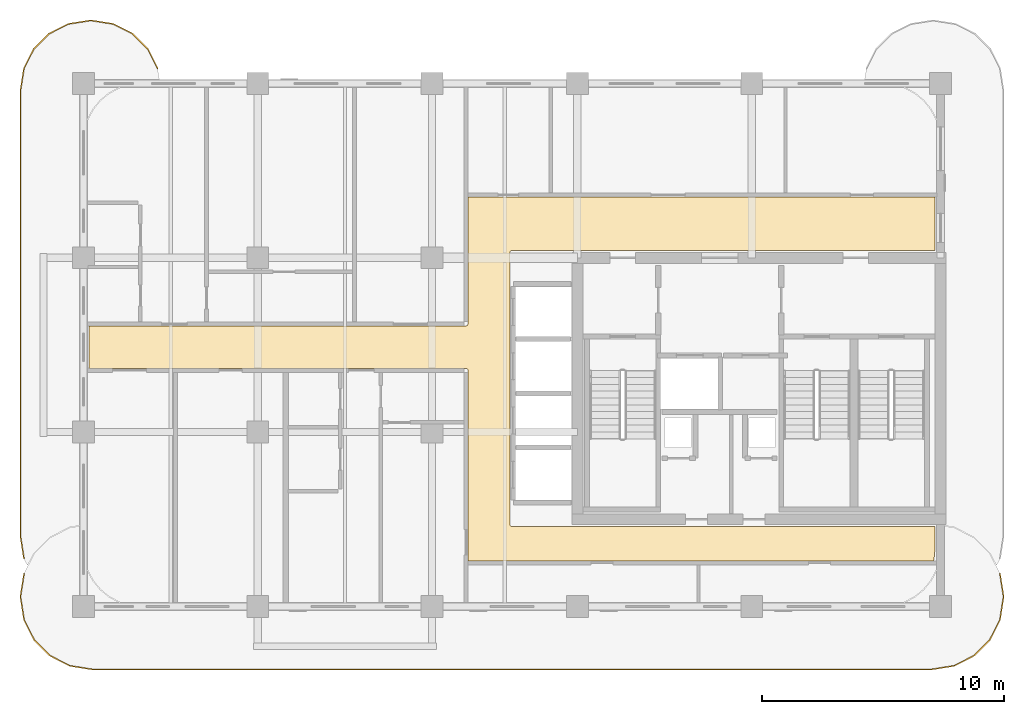
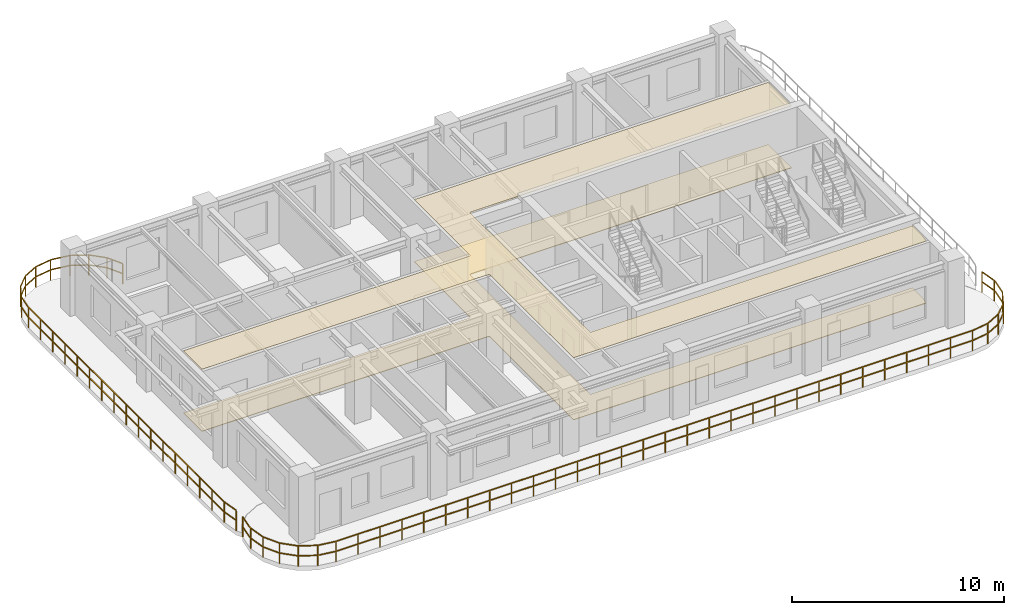
# One storey, part 7 of 8: 2 coverings, 2 railings.
"""IFC4 building model written with IfcOpenShell, lengths in metres."""

from ifc_helpers import new_model, si_unit, derived_unit, direction, frame, origin, origin_2d, place, context, subcontext, project, spatial, polyline, rectangle, outline, extrude, material, layer, layer_set, type_object, element, save


model = new_model("IFC4")

# Units and contexts
model_context = context("Model", 3, precision=1e-05, world=origin(), true_north=direction((0.0, 1.0)))
body_context = subcontext(model_context, "Body", "Model", "MODEL_VIEW")
ifc_project = project(units=[si_unit("LENGTHUNIT", "METRE"), si_unit("AREAUNIT", "SQUARE_METRE"), si_unit("VOLUMEUNIT", "CUBIC_METRE"), si_unit("PLANEANGLEUNIT", "RADIAN"), si_unit("MASSUNIT", "GRAM", prefix="KILO"), si_unit("THERMODYNAMICTEMPERATUREUNIT", "KELVIN"), si_unit("POWERUNIT", "WATT"), derived_unit("THERMALTRANSMITTANCEUNIT", [(si_unit("POWERUNIT", "WATT"), 1), (si_unit("AREAUNIT", "SQUARE_METRE"), -1), (si_unit("THERMODYNAMICTEMPERATUREUNIT", "KELVIN"), -1)])], contexts=[model_context])

# Site, building, storey
site_placement = place(None, origin())
site = spatial("IfcSite", under=ifc_project, at=site_placement, CompositionType="ELEMENT")
building_placement = place(site_placement, origin())
building = spatial("IfcBuilding", under=site, at=building_placement, Name="Zahravan Archway Hotel and Residences", CompositionType="ELEMENT")
storey_placement = place(building_placement, frame((0.0, 0.0, 225.0)))
storey = spatial("IfcBuildingStorey", under=building, at=storey_placement, Name="L56", CompositionType="ELEMENT", Elevation=225.0)

# Coverings
ifc_material_1 = material(Name="Perforated Acoustic Gypsum Ceiling")
ifc_layer_1 = layer(ifc_material_1, 0.02490234375, Name="Perforated Acoustic Gypsum Ceiling")
ifc_layer_set_1 = layer_set([ifc_layer_1], Name="Perforated Acoustic Gypsum Ceiling")
covering_type_1 = type_object("IfcCoveringType", Name="COV-CEIL-ACST", PredefinedType="CEILING", material=ifc_layer_set_1)
covering_1_placement = place(storey_placement, frame((0.0, 0.0, 3.574951171875)))
element("IfcCovering", 1, at=covering_1_placement, inside=storey, type_object=covering_type_1, Name="L56 Acoustic Corridor Ceiling", PredefinedType="CEILING", context=body_context, shape_type="SweptSolid", body=[
    extrude(outline(polyline([(30.215576171875, 11.591552734375), (30.256591796875, 11.61328125), (30.278564453125, 11.654296875), (30.280029296875, 16.919921875), (49.580078125, 16.919921875), (49.580078125, 14.705078125), (32.10009765625, 14.705078125), (32.0556640625, 14.69140625), (32.026123046875, 14.655517578125), (32.02001953125, 3.375), (32.033447265625, 3.33056640625), (32.0693359375, 3.301025390625), (49.580078125, 3.294921875), (49.580078125, 2.410888671875), (49.537109375, 1.974853515625), (49.50830078125, 1.8798828125), (30.280029296875, 1.8798828125), (30.280029296875, 9.75), (30.2666015625, 9.79443359375), (30.230712890625, 9.823974609375), (14.6201171875, 9.830078125), (14.6201171875, 11.590087890625), (30.199951171875, 11.590087890625), (30.215576171875, 11.591552734375)])), origin(), (0.0, 0.0, 1.0), 0.025146484375),
])
ifc_material_2 = material(Name="Honed Margalla Limestone & Mortar Bed", Category="masonry")
ifc_layer_2 = layer(ifc_material_2, 0.030029296875, Name="Honed Margalla Limestone & Mortar Bed", Category="masonry")
ifc_layer_set_2 = layer_set([ifc_layer_2], Name="Honed Margalla Limestone & Mortar Bed")
covering_type_2 = type_object("IfcCoveringType", Name="COV-FLR-STONE", PredefinedType="FLOORING", material=ifc_layer_set_2)
covering_2_placement = place(storey_placement, origin())
element("IfcCovering", 2, at=covering_2_placement, inside=storey, type_object=covering_type_2, Name="L56 Circulation Floor Finish", PredefinedType="FLOORING", context=body_context, shape_type="SweptSolid", body=[
    extrude(outline(polyline([(30.215576171875, 11.591552734375), (30.256591796875, 11.61328125), (30.278564453125, 11.654296875), (30.280029296875, 16.919921875), (49.580078125, 16.919921875), (49.580078125, 14.705078125), (32.10009765625, 14.705078125), (32.0556640625, 14.69140625), (32.026123046875, 14.655517578125), (32.02001953125, 3.375), (32.033447265625, 3.33056640625), (32.0693359375, 3.301025390625), (49.580078125, 3.294921875), (49.580078125, 2.410888671875), (49.537109375, 1.974853515625), (49.50830078125, 1.8798828125), (30.280029296875, 1.8798828125), (30.280029296875, 9.75), (30.2666015625, 9.79443359375), (30.230712890625, 9.823974609375), (14.6201171875, 9.830078125), (14.6201171875, 11.590087890625), (30.199951171875, 11.590087890625), (30.215576171875, 11.591552734375)])), origin(), (0.0, 0.0, 1.0), 0.030029296875),
])

# Railings
ifc_material_3 = material(Name="Bronze & Laminated Glass Balustrade", Category="glass")
railing_type = type_object("IfcRailingType", Name="RL-BAL-1200", PredefinedType="BALUSTRADE", material=ifc_material_3)
railing_1_placement = place(storey_placement, frame((52.255615234375, 1.361572265625, 0.0)))
element("IfcRailing", 3, at=railing_1_placement, inside=storey, type_object=railing_type, Name="L56 Balustrade RL-SLB-BAL-L56-SA-1", PredefinedType="BALUSTRADE", context=body_context, shape_type="SweptSolid", body=[
    extrude(rectangle(XDim=0.048095703125, YDim=0.048095703125, at=origin_2d()), frame((0.0, 0.0, 1.17578125), z_axis=(0.156329311416, -0.987704989555, 0.0), x_axis=(0.987704989555, 0.156329311416, 0.0)), (0.0, 0.0, 1.0), 0.9228515625),
    extrude(rectangle(XDim=0.048095703125, YDim=0.048095703125, at=origin_2d()), frame((0.0, 0.0, 0.60009765625), z_axis=(0.156329311416, -0.987704989555, 0.0), x_axis=(0.987704989555, 0.156329311416, 0.0)), (0.0, 0.0, 1.0), 0.9228515625),
    extrude(rectangle(XDim=0.048095703125, YDim=0.048095703125, at=origin_2d()), frame((0.144287109375, -0.91162109375, 1.17578125), z_axis=(0.0, -1.0, 0.0), x_axis=(1.0, 0.0, 0.0)), (0.0, 0.0, 1.0), 0.099853515625),
    extrude(rectangle(XDim=0.048095703125, YDim=0.048095703125, at=origin_2d()), frame((0.144287109375, -0.91162109375, 0.60009765625), z_axis=(0.0, -1.0, 0.0), x_axis=(1.0, 0.0, 0.0)), (0.0, 0.0, 1.0), 0.099853515625),
    extrude(rectangle(XDim=0.048095703125, YDim=0.048095703125, at=origin_2d()), frame((0.144287109375, -1.011474609375, 1.17578125), z_axis=(-0.156329311416, -0.987704989555, 0.0), x_axis=(0.987704989555, -0.156329311416, 0.0)), (0.0, 0.0, 1.0), 0.9228515625),
    extrude(rectangle(XDim=0.048095703125, YDim=0.048095703125, at=origin_2d()), frame((0.144287109375, -1.011474609375, 0.60009765625), z_axis=(-0.156329311416, -0.987704989555, 0.0), x_axis=(0.987704989555, -0.156329311416, 0.0)), (0.0, 0.0, 1.0), 0.9228515625),
    extrude(rectangle(XDim=0.048095703125, YDim=0.048095703125, at=origin_2d()), frame((0.0, -1.923095703125, 1.17578125), z_axis=(-0.453866348456, -0.891069771532, 0.0), x_axis=(0.891069771532, -0.453866348456, 0.0)), (0.0, 0.0, 1.0), 0.923095703125),
    extrude(rectangle(XDim=0.048095703125, YDim=0.048095703125, at=origin_2d()), frame((0.0, -1.923095703125, 0.60009765625), z_axis=(-0.453866348456, -0.891069771532, 0.0), x_axis=(0.891069771532, -0.453866348456, 0.0)), (0.0, 0.0, 1.0), 0.923095703125),
    extrude(rectangle(XDim=0.048095703125, YDim=0.048095703125, at=origin_2d()), frame((-0.4189453125, -2.74560546875, 1.17578125), z_axis=(-0.707106781187, -0.707106781187, 0.0), x_axis=(0.707106781187, -0.707106781187, 0.0)), (0.0, 0.0, 1.0), 0.9228515625),
    extrude(rectangle(XDim=0.048095703125, YDim=0.048095703125, at=origin_2d()), frame((-0.4189453125, -2.74560546875, 0.60009765625), z_axis=(-0.707106781187, -0.707106781187, 0.0), x_axis=(0.707106781187, -0.707106781187, 0.0)), (0.0, 0.0, 1.0), 0.9228515625),
    extrude(rectangle(XDim=0.048095703125, YDim=0.048095703125, at=origin_2d()), frame((-1.071533203125, -3.398193359375, 1.17578125), z_axis=(-0.891069771532, -0.453866348456, 0.0), x_axis=(0.453866348456, -0.891069771532, 0.0)), (0.0, 0.0, 1.0), 0.923095703125),
    extrude(rectangle(XDim=0.048095703125, YDim=0.048095703125, at=origin_2d()), frame((-1.071533203125, -3.398193359375, 0.60009765625), z_axis=(-0.891069771532, -0.453866348456, 0.0), x_axis=(0.453866348456, -0.891069771532, 0.0)), (0.0, 0.0, 1.0), 0.923095703125),
    extrude(rectangle(XDim=0.048095703125, YDim=0.048095703125, at=origin_2d()), frame((-1.89404296875, -3.817138671875, 1.17578125), z_axis=(-0.98766411426, -0.156587347521, 0.0), x_axis=(0.156587347521, -0.98766411426, 0.0)), (0.0, 0.0, 1.0), 0.923095703125),
    extrude(rectangle(XDim=0.048095703125, YDim=0.048095703125, at=origin_2d()), frame((-1.89404296875, -3.817138671875, 0.60009765625), z_axis=(-0.98766411426, -0.156587347521, 0.0), x_axis=(0.156587347521, -0.98766411426, 0.0)), (0.0, 0.0, 1.0), 0.923095703125),
    extrude(rectangle(XDim=0.048095703125, YDim=0.048095703125, at=origin_2d()), frame((-2.8056640625, -3.961669921875, 1.17578125), z_axis=(-1.0, 0.0, 0.0), x_axis=(0.0, -1.0, 0.0)), (0.0, 0.0, 1.0), 34.699951171875),
    extrude(rectangle(XDim=0.048095703125, YDim=0.048095703125, at=origin_2d()), frame((-2.8056640625, -3.961669921875, 0.60009765625), z_axis=(-1.0, 0.0, 0.0), x_axis=(0.0, -1.0, 0.0)), (0.0, 0.0, 1.0), 34.699951171875),
    extrude(rectangle(XDim=0.048095703125, YDim=0.048095703125, at=origin_2d()), frame((-37.505615234375, -3.961669921875, 1.17578125), z_axis=(-0.98766411426, 0.156587347521, 0.0), x_axis=(-0.156587347521, -0.98766411426, 0.0)), (0.0, 0.0, 1.0), 0.923095703125),
    extrude(rectangle(XDim=0.048095703125, YDim=0.048095703125, at=origin_2d()), frame((-37.505615234375, -3.961669921875, 0.60009765625), z_axis=(-0.98766411426, 0.156587347521, 0.0), x_axis=(-0.156587347521, -0.98766411426, 0.0)), (0.0, 0.0, 1.0), 0.923095703125),
    extrude(rectangle(XDim=0.048095703125, YDim=0.048095703125, at=origin_2d()), frame((-38.417236328125, -3.817138671875, 1.17578125), z_axis=(-0.891015268556, 0.453973337542, 0.0), x_axis=(-0.453973337542, -0.891015268556, 0.0)), (0.0, 0.0, 1.0), 0.9228515625),
    extrude(rectangle(XDim=0.048095703125, YDim=0.048095703125, at=origin_2d()), frame((-38.417236328125, -3.817138671875, 0.60009765625), z_axis=(-0.891015268556, 0.453973337542, 0.0), x_axis=(-0.453973337542, -0.891015268556, 0.0)), (0.0, 0.0, 1.0), 0.9228515625),
    extrude(rectangle(XDim=0.048095703125, YDim=0.048095703125, at=origin_2d()), frame((-39.239501953125, -3.398193359375, 1.17578125), z_axis=(-0.707239012465, 0.706974525176, 0.0), x_axis=(-0.706974525176, -0.707239012465, 0.0)), (0.0, 0.0, 1.0), 0.923095703125),
    extrude(rectangle(XDim=0.048095703125, YDim=0.048095703125, at=origin_2d()), frame((-39.239501953125, -3.398193359375, 0.60009765625), z_axis=(-0.707239012465, 0.706974525176, 0.0), x_axis=(-0.706974525176, -0.707239012465, 0.0)), (0.0, 0.0, 1.0), 0.923095703125),
    extrude(rectangle(XDim=0.048095703125, YDim=0.048095703125, at=origin_2d()), frame((-39.892333984375, -2.74560546875, 1.17578125), z_axis=(-0.453866348456, 0.891069771532, 0.0), x_axis=(-0.891069771532, -0.453866348456, 0.0)), (0.0, 0.0, 1.0), 0.923095703125),
    extrude(rectangle(XDim=0.048095703125, YDim=0.048095703125, at=origin_2d()), frame((-39.892333984375, -2.74560546875, 0.60009765625), z_axis=(-0.453866348456, 0.891069771532, 0.0), x_axis=(-0.891069771532, -0.453866348456, 0.0)), (0.0, 0.0, 1.0), 0.923095703125),
    extrude(rectangle(XDim=0.048095703125, YDim=0.048095703125, at=origin_2d()), frame((-40.311279296875, -1.923095703125, 1.17578125), z_axis=(-0.156329311416, 0.987704989555, 0.0), x_axis=(-0.987704989555, -0.156329311416, 0.0)), (0.0, 0.0, 1.0), 0.9228515625),
    extrude(rectangle(XDim=0.048095703125, YDim=0.048095703125, at=origin_2d()), frame((-40.311279296875, -1.923095703125, 0.60009765625), z_axis=(-0.156329311416, 0.987704989555, 0.0), x_axis=(-0.987704989555, -0.156329311416, 0.0)), (0.0, 0.0, 1.0), 0.9228515625),
    extrude(rectangle(XDim=0.048095703125, YDim=0.048095703125, at=origin_2d()), frame((-40.45556640625, -1.011474609375, 1.17578125), z_axis=(0.0, 1.0, 0.0), x_axis=(-1.0, 0.0, 0.0)), (0.0, 0.0, 1.0), 0.099853515625),
    extrude(rectangle(XDim=0.048095703125, YDim=0.048095703125, at=origin_2d()), frame((-40.45556640625, -1.011474609375, 0.60009765625), z_axis=(0.0, 1.0, 0.0), x_axis=(-1.0, 0.0, 0.0)), (0.0, 0.0, 1.0), 0.099853515625),
    extrude(rectangle(XDim=0.048095703125, YDim=0.048095703125, at=origin_2d()), frame((-40.45556640625, -0.91162109375, 1.17578125), z_axis=(0.156329311416, 0.987704989555, 0.0), x_axis=(-0.987704989555, 0.156329311416, 0.0)), (0.0, 0.0, 1.0), 0.9228515625),
    extrude(rectangle(XDim=0.048095703125, YDim=0.048095703125, at=origin_2d()), frame((-40.45556640625, -0.91162109375, 0.60009765625), z_axis=(0.156329311416, 0.987704989555, 0.0), x_axis=(-0.987704989555, 0.156329311416, 0.0)), (0.0, 0.0, 1.0), 0.9228515625),
    extrude(rectangle(XDim=0.0419921875, YDim=0.0419921875, at=origin_2d()), origin(), (0.0, 0.0, 1.0), 1.15185546875),
    extrude(rectangle(XDim=0.0419921875, YDim=0.0419921875, at=origin_2d()), frame((0.144287109375, -0.91162109375, 0.0)), (0.0, 0.0, 1.0), 1.15185546875),
    extrude(rectangle(XDim=0.0419921875, YDim=0.0419921875, at=origin_2d()), frame((0.0, -1.923095703125, 0.0)), (0.0, 0.0, 1.0), 1.15185546875),
    extrude(rectangle(XDim=0.0419921875, YDim=0.0419921875, at=origin_2d()), frame((-0.4189453125, -2.74560546875, 0.0)), (0.0, 0.0, 1.0), 1.15185546875),
    extrude(rectangle(XDim=0.0419921875, YDim=0.0419921875, at=origin_2d()), frame((-1.071533203125, -3.398193359375, 0.0)), (0.0, 0.0, 1.0), 1.15185546875),
    extrude(rectangle(XDim=0.0419921875, YDim=0.0419921875, at=origin_2d()), frame((-1.89404296875, -3.817138671875, 0.0)), (0.0, 0.0, 1.0), 1.15185546875),
    extrude(rectangle(XDim=0.0419921875, YDim=0.0419921875, at=origin_2d()), frame((-2.8056640625, -3.961669921875, 0.0)), (0.0, 0.0, 1.0), 1.15185546875),
    extrude(rectangle(XDim=0.0419921875, YDim=0.0419921875, at=origin_2d()), frame((-4.002197265625, -3.961669921875, 0.0)), (0.0, 0.0, 1.0), 1.15185546875),
    extrude(rectangle(XDim=0.0419921875, YDim=0.0419921875, at=origin_2d()), frame((-5.19873046875, -3.961669921875, 0.0)), (0.0, 0.0, 1.0), 1.15185546875),
    extrude(rectangle(XDim=0.0419921875, YDim=0.0419921875, at=origin_2d()), frame((-6.395263671875, -3.961669921875, 0.0)), (0.0, 0.0, 1.0), 1.15185546875),
    extrude(rectangle(XDim=0.0419921875, YDim=0.0419921875, at=origin_2d()), frame((-7.591796875, -3.961669921875, 0.0)), (0.0, 0.0, 1.0), 1.15185546875),
    extrude(rectangle(XDim=0.0419921875, YDim=0.0419921875, at=origin_2d()), frame((-8.788330078125, -3.961669921875, 0.0)), (0.0, 0.0, 1.0), 1.15185546875),
    extrude(rectangle(XDim=0.0419921875, YDim=0.0419921875, at=origin_2d()), frame((-9.98486328125, -3.961669921875, 0.0)), (0.0, 0.0, 1.0), 1.15185546875),
    extrude(rectangle(XDim=0.0419921875, YDim=0.0419921875, at=origin_2d()), frame((-11.181396484375, -3.961669921875, 0.0)), (0.0, 0.0, 1.0), 1.15185546875),
    extrude(rectangle(XDim=0.0419921875, YDim=0.0419921875, at=origin_2d()), frame((-12.378173828125, -3.961669921875, 0.0)), (0.0, 0.0, 1.0), 1.15185546875),
    extrude(rectangle(XDim=0.0419921875, YDim=0.0419921875, at=origin_2d()), frame((-13.57470703125, -3.961669921875, 0.0)), (0.0, 0.0, 1.0), 1.15185546875),
    extrude(rectangle(XDim=0.0419921875, YDim=0.0419921875, at=origin_2d()), frame((-14.771240234375, -3.961669921875, 0.0)), (0.0, 0.0, 1.0), 1.15185546875),
    extrude(rectangle(XDim=0.0419921875, YDim=0.0419921875, at=origin_2d()), frame((-15.9677734375, -3.961669921875, 0.0)), (0.0, 0.0, 1.0), 1.15185546875),
    extrude(rectangle(XDim=0.0419921875, YDim=0.0419921875, at=origin_2d()), frame((-17.164306640625, -3.961669921875, 0.0)), (0.0, 0.0, 1.0), 1.15185546875),
    extrude(rectangle(XDim=0.0419921875, YDim=0.0419921875, at=origin_2d()), frame((-18.36083984375, -3.961669921875, 0.0)), (0.0, 0.0, 1.0), 1.15185546875),
    extrude(rectangle(XDim=0.0419921875, YDim=0.0419921875, at=origin_2d()), frame((-19.557373046875, -3.961669921875, 0.0)), (0.0, 0.0, 1.0), 1.15185546875),
    extrude(rectangle(XDim=0.0419921875, YDim=0.0419921875, at=origin_2d()), frame((-20.75390625, -3.961669921875, 0.0)), (0.0, 0.0, 1.0), 1.15185546875),
    extrude(rectangle(XDim=0.0419921875, YDim=0.0419921875, at=origin_2d()), frame((-21.950439453125, -3.961669921875, 0.0)), (0.0, 0.0, 1.0), 1.15185546875),
    extrude(rectangle(XDim=0.0419921875, YDim=0.0419921875, at=origin_2d()), frame((-23.14697265625, -3.961669921875, 0.0)), (0.0, 0.0, 1.0), 1.15185546875),
    extrude(rectangle(XDim=0.0419921875, YDim=0.0419921875, at=origin_2d()), frame((-24.343505859375, -3.961669921875, 0.0)), (0.0, 0.0, 1.0), 1.15185546875),
    extrude(rectangle(XDim=0.0419921875, YDim=0.0419921875, at=origin_2d()), frame((-25.5400390625, -3.961669921875, 0.0)), (0.0, 0.0, 1.0), 1.15185546875),
    extrude(rectangle(XDim=0.0419921875, YDim=0.0419921875, at=origin_2d()), frame((-26.736572265625, -3.961669921875, 0.0)), (0.0, 0.0, 1.0), 1.15185546875),
    extrude(rectangle(XDim=0.0419921875, YDim=0.0419921875, at=origin_2d()), frame((-27.93310546875, -3.961669921875, 0.0)), (0.0, 0.0, 1.0), 1.15185546875),
    extrude(rectangle(XDim=0.0419921875, YDim=0.0419921875, at=origin_2d()), frame((-29.1298828125, -3.961669921875, 0.0)), (0.0, 0.0, 1.0), 1.15185546875),
    extrude(rectangle(XDim=0.0419921875, YDim=0.0419921875, at=origin_2d()), frame((-30.326416015625, -3.961669921875, 0.0)), (0.0, 0.0, 1.0), 1.15185546875),
    extrude(rectangle(XDim=0.0419921875, YDim=0.0419921875, at=origin_2d()), frame((-31.52294921875, -3.961669921875, 0.0)), (0.0, 0.0, 1.0), 1.15185546875),
    extrude(rectangle(XDim=0.0419921875, YDim=0.0419921875, at=origin_2d()), frame((-32.719482421875, -3.961669921875, 0.0)), (0.0, 0.0, 1.0), 1.15185546875),
    extrude(rectangle(XDim=0.0419921875, YDim=0.0419921875, at=origin_2d()), frame((-33.916015625, -3.961669921875, 0.0)), (0.0, 0.0, 1.0), 1.15185546875),
    extrude(rectangle(XDim=0.0419921875, YDim=0.0419921875, at=origin_2d()), frame((-35.112548828125, -3.961669921875, 0.0)), (0.0, 0.0, 1.0), 1.15185546875),
    extrude(rectangle(XDim=0.0419921875, YDim=0.0419921875, at=origin_2d()), frame((-36.30908203125, -3.961669921875, 0.0)), (0.0, 0.0, 1.0), 1.15185546875),
    extrude(rectangle(XDim=0.0419921875, YDim=0.0419921875, at=origin_2d()), frame((-37.505615234375, -3.961669921875, 0.0)), (0.0, 0.0, 1.0), 1.15185546875),
    extrude(rectangle(XDim=0.0419921875, YDim=0.0419921875, at=origin_2d()), frame((-38.417236328125, -3.817138671875, 0.0)), (0.0, 0.0, 1.0), 1.15185546875),
    extrude(rectangle(XDim=0.0419921875, YDim=0.0419921875, at=origin_2d()), frame((-39.239501953125, -3.398193359375, 0.0)), (0.0, 0.0, 1.0), 1.15185546875),
    extrude(rectangle(XDim=0.0419921875, YDim=0.0419921875, at=origin_2d()), frame((-39.892333984375, -2.74560546875, 0.0)), (0.0, 0.0, 1.0), 1.15185546875),
    extrude(rectangle(XDim=0.0419921875, YDim=0.0419921875, at=origin_2d()), frame((-40.311279296875, -1.923095703125, 0.0)), (0.0, 0.0, 1.0), 1.15185546875),
    extrude(rectangle(XDim=0.0419921875, YDim=0.0419921875, at=origin_2d()), frame((-40.45556640625, -1.011474609375, 0.0)), (0.0, 0.0, 1.0), 1.15185546875),
    extrude(rectangle(XDim=0.0419921875, YDim=0.0419921875, at=origin_2d()), frame((-40.311279296875, 0.0, 0.0)), (0.0, 0.0, 1.0), 1.15185546875),
])
railing_2_placement = place(storey_placement, frame((11.939453125, 1.96923828125, 0.0)))
element("IfcRailing", 4, at=railing_2_placement, inside=storey, type_object=railing_type, Name="L56 Balustrade RL-SLB-BAL-L56-WA-1", PredefinedType="BALUSTRADE", context=body_context, shape_type="SweptSolid", body=[
    extrude(rectangle(XDim=0.048095703125, YDim=0.048095703125, at=origin_2d()), frame((0.0, 0.0, 1.17578125), z_axis=(-0.156314005608, 0.987707411965, 0.0), x_axis=(-0.987707411965, -0.156314005608, 0.0)), (0.0, 0.0, 1.0), 0.891845703125),
    extrude(rectangle(XDim=0.048095703125, YDim=0.048095703125, at=origin_2d()), frame((0.0, 0.0, 0.60009765625), z_axis=(-0.156314005608, 0.987707411965, 0.0), x_axis=(-0.987707411965, -0.156314005608, 0.0)), (0.0, 0.0, 1.0), 0.891845703125),
    extrude(rectangle(XDim=0.048095703125, YDim=0.048095703125, at=origin_2d()), frame((-0.139404296875, 0.880859375, 1.17578125), z_axis=(0.0, 1.0, 0.0), x_axis=(-1.0, 0.0, 0.0)), (0.0, 0.0, 1.0), 18.5),
    extrude(rectangle(XDim=0.048095703125, YDim=0.048095703125, at=origin_2d()), frame((-0.139404296875, 0.880859375, 0.60009765625), z_axis=(0.0, 1.0, 0.0), x_axis=(-1.0, 0.0, 0.0)), (0.0, 0.0, 1.0), 18.5),
    extrude(rectangle(XDim=0.048095703125, YDim=0.048095703125, at=origin_2d()), frame((-0.139404296875, 19.380859375, 1.17578125), z_axis=(0.156356282588, 0.987700720307, 0.0), x_axis=(-0.987700720307, 0.156356282588, 0.0)), (0.0, 0.0, 1.0), 0.8916015625),
    extrude(rectangle(XDim=0.048095703125, YDim=0.048095703125, at=origin_2d()), frame((-0.139404296875, 19.380859375, 0.60009765625), z_axis=(0.156356282588, 0.987700720307, 0.0), x_axis=(-0.987700720307, 0.156356282588, 0.0)), (0.0, 0.0, 1.0), 0.8916015625),
    extrude(rectangle(XDim=0.048095703125, YDim=0.048095703125, at=origin_2d()), frame((0.0, 20.261474609375, 1.17578125), z_axis=(0.453991409995, 0.891006060389, 0.0), x_axis=(-0.891006060389, 0.453991409995, 0.0)), (0.0, 0.0, 1.0), 0.8916015625),
    extrude(rectangle(XDim=0.048095703125, YDim=0.048095703125, at=origin_2d()), frame((0.0, 20.261474609375, 0.60009765625), z_axis=(0.453991409995, 0.891006060389, 0.0), x_axis=(-0.891006060389, 0.453991409995, 0.0)), (0.0, 0.0, 1.0), 0.8916015625),
    extrude(rectangle(XDim=0.048095703125, YDim=0.048095703125, at=origin_2d()), frame((0.40478515625, 21.055908203125, 1.17578125), z_axis=(0.707106781187, 0.707106781187, 0.0), x_axis=(-0.707106781187, 0.707106781187, 0.0)), (0.0, 0.0, 1.0), 0.891845703125),
    extrude(rectangle(XDim=0.048095703125, YDim=0.048095703125, at=origin_2d()), frame((0.40478515625, 21.055908203125, 0.60009765625), z_axis=(0.707106781187, 0.707106781187, 0.0), x_axis=(-0.707106781187, 0.707106781187, 0.0)), (0.0, 0.0, 1.0), 0.891845703125),
    extrude(rectangle(XDim=0.048095703125, YDim=0.048095703125, at=origin_2d()), frame((1.035400390625, 21.6865234375, 1.17578125), z_axis=(0.891006060389, 0.453991409995, 0.0), x_axis=(-0.453991409995, 0.891006060389, 0.0)), (0.0, 0.0, 1.0), 0.8916015625),
    extrude(rectangle(XDim=0.048095703125, YDim=0.048095703125, at=origin_2d()), frame((1.035400390625, 21.6865234375, 0.60009765625), z_axis=(0.891006060389, 0.453991409995, 0.0), x_axis=(-0.453991409995, 0.891006060389, 0.0)), (0.0, 0.0, 1.0), 0.8916015625),
    extrude(rectangle(XDim=0.048095703125, YDim=0.048095703125, at=origin_2d()), frame((1.829833984375, 22.09130859375, 1.17578125), z_axis=(0.987700720307, 0.156356282588, 0.0), x_axis=(-0.156356282588, 0.987700720307, 0.0)), (0.0, 0.0, 1.0), 0.8916015625),
    extrude(rectangle(XDim=0.048095703125, YDim=0.048095703125, at=origin_2d()), frame((1.829833984375, 22.09130859375, 0.60009765625), z_axis=(0.987700720307, 0.156356282588, 0.0), x_axis=(-0.156356282588, 0.987700720307, 0.0)), (0.0, 0.0, 1.0), 0.8916015625),
    extrude(rectangle(XDim=0.048095703125, YDim=0.048095703125, at=origin_2d()), frame((2.71044921875, 22.230712890625, 1.17578125), z_axis=(1.0, 0.0, 0.0), x_axis=(0.0, 1.0, 0.0)), (0.0, 0.0, 1.0), 0.10009765625),
    extrude(rectangle(XDim=0.048095703125, YDim=0.048095703125, at=origin_2d()), frame((2.71044921875, 22.230712890625, 0.60009765625), z_axis=(1.0, 0.0, 0.0), x_axis=(0.0, 1.0, 0.0)), (0.0, 0.0, 1.0), 0.10009765625),
    extrude(rectangle(XDim=0.048095703125, YDim=0.048095703125, at=origin_2d()), frame((2.810546875, 22.230712890625, 1.17578125), z_axis=(0.987700720307, -0.156356282588, 0.0), x_axis=(0.156356282588, 0.987700720307, 0.0)), (0.0, 0.0, 1.0), 0.8916015625),
    extrude(rectangle(XDim=0.048095703125, YDim=0.048095703125, at=origin_2d()), frame((2.810546875, 22.230712890625, 0.60009765625), z_axis=(0.987700720307, -0.156356282588, 0.0), x_axis=(0.156356282588, 0.987700720307, 0.0)), (0.0, 0.0, 1.0), 0.8916015625),
    extrude(rectangle(XDim=0.048095703125, YDim=0.048095703125, at=origin_2d()), frame((3.691162109375, 22.09130859375, 1.17578125), z_axis=(0.891062476022, -0.45388067135, 0.0), x_axis=(0.45388067135, 0.891062476022, 0.0)), (0.0, 0.0, 1.0), 0.891845703125),
    extrude(rectangle(XDim=0.048095703125, YDim=0.048095703125, at=origin_2d()), frame((3.691162109375, 22.09130859375, 0.60009765625), z_axis=(0.891062476022, -0.45388067135, 0.0), x_axis=(0.45388067135, 0.891062476022, 0.0)), (0.0, 0.0, 1.0), 0.891845703125),
    extrude(rectangle(XDim=0.048095703125, YDim=0.048095703125, at=origin_2d()), frame((4.48583984375, 21.6865234375, 1.17578125), z_axis=(0.706969864397, -0.70724367147, 0.0), x_axis=(0.70724367147, 0.706969864397, 0.0)), (0.0, 0.0, 1.0), 0.8916015625),
    extrude(rectangle(XDim=0.048095703125, YDim=0.048095703125, at=origin_2d()), frame((4.48583984375, 21.6865234375, 0.60009765625), z_axis=(0.706969864397, -0.70724367147, 0.0), x_axis=(0.70724367147, 0.706969864397, 0.0)), (0.0, 0.0, 1.0), 0.8916015625),
    extrude(rectangle(XDim=0.048095703125, YDim=0.048095703125, at=origin_2d()), frame((5.1162109375, 21.055908203125, 1.17578125), z_axis=(0.453991409995, -0.891006060389, 0.0), x_axis=(0.891006060389, 0.453991409995, 0.0)), (0.0, 0.0, 1.0), 0.8916015625),
    extrude(rectangle(XDim=0.048095703125, YDim=0.048095703125, at=origin_2d()), frame((5.1162109375, 21.055908203125, 0.60009765625), z_axis=(0.453991409995, -0.891006060389, 0.0), x_axis=(0.891006060389, 0.453991409995, 0.0)), (0.0, 0.0, 1.0), 0.8916015625),
    extrude(rectangle(XDim=0.0419921875, YDim=0.0419921875, at=origin_2d()), origin(), (0.0, 0.0, 1.0), 1.15185546875),
    extrude(rectangle(XDim=0.0419921875, YDim=0.0419921875, at=origin_2d()), frame((-0.139404296875, 0.880859375, 0.0)), (0.0, 0.0, 1.0), 1.15185546875),
    extrude(rectangle(XDim=0.0419921875, YDim=0.0419921875, at=origin_2d()), frame((-0.139404296875, 2.037109375, 0.0)), (0.0, 0.0, 1.0), 1.15185546875),
    extrude(rectangle(XDim=0.0419921875, YDim=0.0419921875, at=origin_2d()), frame((-0.139404296875, 3.193359375, 0.0)), (0.0, 0.0, 1.0), 1.15185546875),
    extrude(rectangle(XDim=0.0419921875, YDim=0.0419921875, at=origin_2d()), frame((-0.139404296875, 4.349609375, 0.0)), (0.0, 0.0, 1.0), 1.15185546875),
    extrude(rectangle(XDim=0.0419921875, YDim=0.0419921875, at=origin_2d()), frame((-0.139404296875, 5.505859375, 0.0)), (0.0, 0.0, 1.0), 1.15185546875),
    extrude(rectangle(XDim=0.0419921875, YDim=0.0419921875, at=origin_2d()), frame((-0.139404296875, 6.662109375, 0.0)), (0.0, 0.0, 1.0), 1.15185546875),
    extrude(rectangle(XDim=0.0419921875, YDim=0.0419921875, at=origin_2d()), frame((-0.139404296875, 7.818359375, 0.0)), (0.0, 0.0, 1.0), 1.15185546875),
    extrude(rectangle(XDim=0.0419921875, YDim=0.0419921875, at=origin_2d()), frame((-0.139404296875, 8.974609375, 0.0)), (0.0, 0.0, 1.0), 1.15185546875),
    extrude(rectangle(XDim=0.0419921875, YDim=0.0419921875, at=origin_2d()), frame((-0.139404296875, 10.130859375, 0.0)), (0.0, 0.0, 1.0), 1.15185546875),
    extrude(rectangle(XDim=0.0419921875, YDim=0.0419921875, at=origin_2d()), frame((-0.139404296875, 11.287109375, 0.0)), (0.0, 0.0, 1.0), 1.15185546875),
    extrude(rectangle(XDim=0.0419921875, YDim=0.0419921875, at=origin_2d()), frame((-0.139404296875, 12.443359375, 0.0)), (0.0, 0.0, 1.0), 1.15185546875),
    extrude(rectangle(XDim=0.0419921875, YDim=0.0419921875, at=origin_2d()), frame((-0.139404296875, 13.599609375, 0.0)), (0.0, 0.0, 1.0), 1.15185546875),
    extrude(rectangle(XDim=0.0419921875, YDim=0.0419921875, at=origin_2d()), frame((-0.139404296875, 14.755859375, 0.0)), (0.0, 0.0, 1.0), 1.15185546875),
    extrude(rectangle(XDim=0.0419921875, YDim=0.0419921875, at=origin_2d()), frame((-0.139404296875, 15.912109375, 0.0)), (0.0, 0.0, 1.0), 1.15185546875),
    extrude(rectangle(XDim=0.0419921875, YDim=0.0419921875, at=origin_2d()), frame((-0.139404296875, 17.068359375, 0.0)), (0.0, 0.0, 1.0), 1.15185546875),
    extrude(rectangle(XDim=0.0419921875, YDim=0.0419921875, at=origin_2d()), frame((-0.139404296875, 18.224609375, 0.0)), (0.0, 0.0, 1.0), 1.15185546875),
    extrude(rectangle(XDim=0.0419921875, YDim=0.0419921875, at=origin_2d()), frame((-0.139404296875, 19.380859375, 0.0)), (0.0, 0.0, 1.0), 1.15185546875),
    extrude(rectangle(XDim=0.0419921875, YDim=0.0419921875, at=origin_2d()), frame((0.0, 20.261474609375, 0.0)), (0.0, 0.0, 1.0), 1.15185546875),
    extrude(rectangle(XDim=0.0419921875, YDim=0.0419921875, at=origin_2d()), frame((0.40478515625, 21.055908203125, 0.0)), (0.0, 0.0, 1.0), 1.15185546875),
    extrude(rectangle(XDim=0.0419921875, YDim=0.0419921875, at=origin_2d()), frame((1.035400390625, 21.6865234375, 0.0)), (0.0, 0.0, 1.0), 1.15185546875),
    extrude(rectangle(XDim=0.0419921875, YDim=0.0419921875, at=origin_2d()), frame((1.829833984375, 22.09130859375, 0.0)), (0.0, 0.0, 1.0), 1.15185546875),
    extrude(rectangle(XDim=0.0419921875, YDim=0.0419921875, at=origin_2d()), frame((2.71044921875, 22.230712890625, 0.0)), (0.0, 0.0, 1.0), 1.15185546875),
    extrude(rectangle(XDim=0.0419921875, YDim=0.0419921875, at=origin_2d()), frame((3.691162109375, 22.09130859375, 0.0)), (0.0, 0.0, 1.0), 1.15185546875),
    extrude(rectangle(XDim=0.0419921875, YDim=0.0419921875, at=origin_2d()), frame((4.48583984375, 21.6865234375, 0.0)), (0.0, 0.0, 1.0), 1.15185546875),
    extrude(rectangle(XDim=0.0419921875, YDim=0.0419921875, at=origin_2d()), frame((5.1162109375, 21.055908203125, 0.0)), (0.0, 0.0, 1.0), 1.15185546875),
    extrude(rectangle(XDim=0.0419921875, YDim=0.0419921875, at=origin_2d()), frame((5.52099609375, 20.261474609375, 0.0)), (0.0, 0.0, 1.0), 1.15185546875),
])

save(model, "model.ifc")
